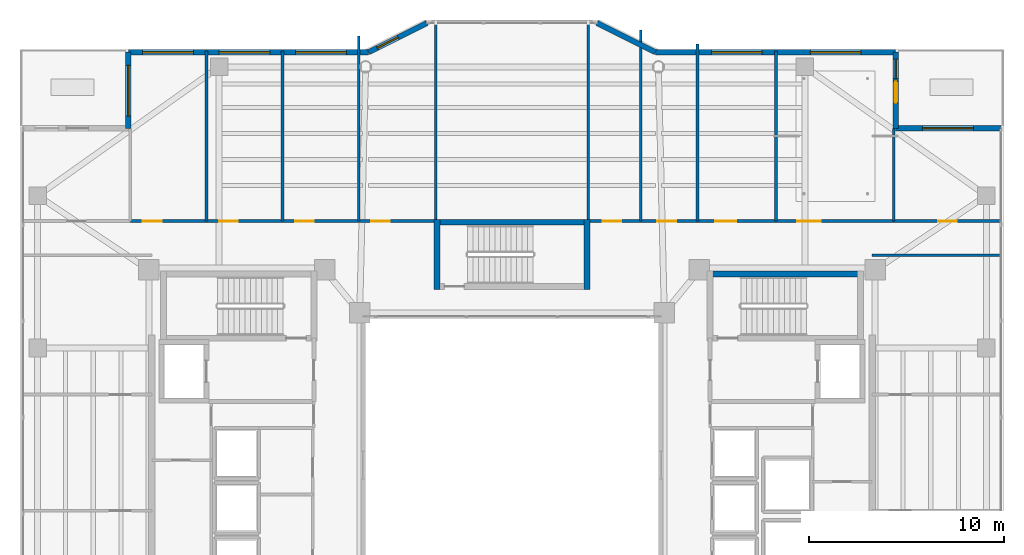
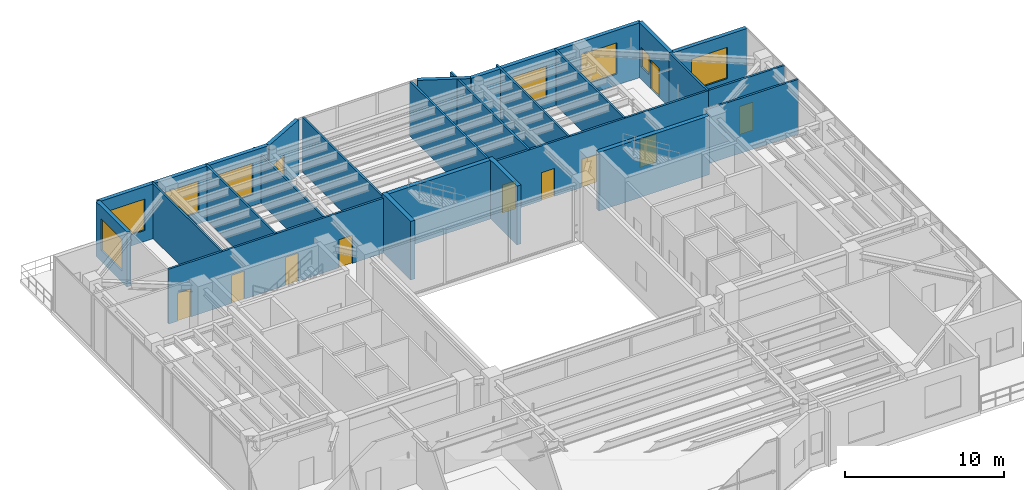
# One storey, part 26 of 33: 24 walls, 10 doors, 9 windows, 19 openings.
"""IFC4 building model written with IfcOpenShell, lengths in metres."""

from ifc_helpers import new_model, si_unit, direction, frame, frame_2d, origin, place, context, subcontext, project, spatial, rectangle, extrude, material, layer, layer_set, type_object, element, fill, save


model = new_model("IFC4")

# Units and contexts
model_context = context("Model", 3, precision=1e-05, world=origin(), true_north=direction((0.0, 1.0)))
body_context = subcontext(model_context, "Body", "Model", "MODEL_VIEW")
ifc_project = project(units=[si_unit("LENGTHUNIT", "METRE"), si_unit("AREAUNIT", "SQUARE_METRE"), si_unit("VOLUMEUNIT", "CUBIC_METRE"), si_unit("PLANEANGLEUNIT", "RADIAN"), si_unit("MASSUNIT", "GRAM", prefix="KILO")], contexts=[model_context])

# Site, building, storey
site_placement = place(None, origin())
site = spatial("IfcSite", under=ifc_project, at=site_placement, CompositionType="ELEMENT")
building_placement = place(site_placement, origin())
building = spatial("IfcBuilding", under=site, at=building_placement, Name="Tarnavaz Court Tower", CompositionType="ELEMENT")
storey_placement = place(building_placement, frame((0.0, 0.0, 172.800048828125)))
storey = spatial("IfcBuildingStorey", under=building, at=storey_placement, Name="L47", CompositionType="ELEMENT", Elevation=172.800048828125)

# Walls
ifc_material_1 = material(Name="Concrete C50/60", Category="concrete")
ifc_layer_1 = layer(ifc_material_1, 0.300048828125)
ifc_layer_set_1 = layer_set([ifc_layer_1], Name="Concrete C50/60")
wall_type_1 = type_object("IfcWallType", Name="WL-CORE-300-C50", PredefinedType="SHEAR", material=ifc_layer_set_1)
for number, where, z_axis, x_axis, name in (
    (1, (10.0, 9.7900390625, 0.0), (0.0, 0.0, 1.0), (1.0, 0.0, 0.0), "L47 East Stair Core Wall 005"),
    (2, (-4.0, 12.43994140625, 0.0), (0.0, 0.0, 1.0), (1.0, 0.0, 0.0), "L47 North Stair Core Wall 009"),
):
    element("IfcWall", number, at=place(storey_placement, frame(where, z_axis=z_axis, x_axis=x_axis)), inside=storey, type_object=wall_type_1, Name=name, PredefinedType="SHEAR", context=body_context, shape_type="SweptSolid", body=[
        extrude(rectangle(XDim=8.0, YDim=0.300048828125, at=frame_2d((4.0, 0.0))), origin(), (0.0, 0.0, 1.0), 4.5),
    ])
for number, where, z_axis, x_axis, name in (
    (3, (-3.85009765625, 9.0, 0.0), (0.0, 0.0, 1.0), (0.0, 1.0, 0.0), "L47 North Stair Core Wall 011"),
    (4, (3.85009765625, 9.0, 0.0), (0.0, 0.0, 1.0), (0.0, 1.0, 0.0), "L47 North Stair Core Wall 012"),
):
    element("IfcWall", number, at=place(storey_placement, frame(where, z_axis=z_axis, x_axis=x_axis)), inside=storey, type_object=wall_type_1, Name=name, PredefinedType="SHEAR", context=body_context, shape_type="SweptSolid", body=[
        extrude(rectangle(XDim=3.590087890625, YDim=0.300048828125, at=frame_2d((1.794921875, 0.0))), origin(), (0.0, 0.0, 1.0), 4.5),
    ])

# Wall, opening, window
ifc_material_2 = material(Name="Precast Concrete C40/50", Category="concrete")
ifc_layer_2 = layer(ifc_material_2, 0.280029296875)
ifc_layer_set_2 = layer_set([ifc_layer_2], Name="Precast Concrete C40/50")
wall_type_2 = type_object("IfcWallType", Name="WL-EXT-280", PredefinedType="SOLIDWALL", material=ifc_layer_set_2)
wall_1_placement = place(storey_placement, frame((-19.64990234375, 17.25, 0.0), z_axis=(0.0, 0.0, 1.0), x_axis=(0.0, 1.0, 0.0)))
wall_1 = element("IfcWall", 5, at=wall_1_placement, inside=storey, type_object=wall_type_2, Name="L47 Exterior Terracotta Facade Wall 04", PredefinedType="SOLIDWALL", context=body_context, shape_type="SweptSolid", body=[
    extrude(rectangle(XDim=3.89990234375, YDim=0.280029296875, at=frame_2d((1.949951171875, 0.0))), origin(), (0.0, 0.0, 1.0), 4.199951171875),
])
opening_1_placement = place(wall_1_placement, frame((0.632080078125, 0.0, 0.85009765625)))
opening_1 = element("IfcOpeningElement", 6, at=opening_1_placement, cuts=wall_1, Name="Opening W11", PredefinedType="OPENING", context=body_context, shape_type="SweptSolid", body=[
    extrude(rectangle(XDim=2.60009765625, YDim=2.39990234375, at=frame_2d((1.300048828125, 1.199951171875))), frame((0.0, 0.14990234375, 0.0), z_axis=(0.0, -1.0, 0.0), x_axis=(1.0, 0.0, 0.0)), (0.0, 0.0, 1.0), 0.300048828125),
])
ifc_material_3 = material(Name="Double-Glazed Solar Low-E Glass", Category="glass")
window_type_1 = type_object("IfcWindowType", Name="WN-COM-2600", PartitioningType="TRIPLE_PANEL_VERTICAL", PredefinedType="WINDOW", material=ifc_material_3)
window_1_placement = place(opening_1_placement, origin())
window_1 = element("IfcWindow", 7, at=window_1_placement, inside=storey, type_object=window_type_1, Name="L47 L47 Resident Advisory Office 1 Window", OverallHeight=2.39990234375, OverallWidth=2.60009765625, PartitioningType="SINGLE_PANEL", PredefinedType="WINDOW", context=body_context, shape_type="SweptSolid", body=[
    extrude(rectangle(XDim=2.60009765625, YDim=2.39990234375, at=frame_2d((1.300048828125, 1.199951171875))), frame((0.0, 0.030029296875, 0.0), z_axis=(0.0, -1.0, 0.0), x_axis=(1.0, 0.0, 0.0)), (0.0, 0.0, 1.0), 0.06005859375),
])
fill(opening_1, window_1)

# Wall, openings, windows
wall_2_placement = place(storey_placement, frame((-19.64990234375, 21.14990234375, 0.0), z_axis=(0.0, 0.0, 1.0), x_axis=(1.0, 0.0, 0.0)))
wall_2 = element("IfcWall", 8, at=wall_2_placement, inside=storey, type_object=wall_type_2, Name="L47 Exterior Terracotta Facade Wall 05", PredefinedType="SOLIDWALL", context=body_context, shape_type="SweptSolid", body=[
    extrude(rectangle(XDim=12.2998046875, YDim=0.280029296875, at=frame_2d((6.14990234375, 0.0))), origin(), (0.0, 0.0, 1.0), 4.199951171875),
])
opening_2_placement = place(wall_2_placement, frame((0.7333984375, 0.0, 0.85009765625)))
opening_2 = element("IfcOpeningElement", 9, at=opening_2_placement, cuts=wall_2, Name="Opening W11", PredefinedType="OPENING", context=body_context, shape_type="SweptSolid", body=[
    extrude(rectangle(XDim=2.60009765625, YDim=2.39990234375, at=frame_2d((1.300048828125, 1.199951171875))), frame((0.0, 0.14990234375, 0.0), z_axis=(0.0, -1.0, 0.0), x_axis=(1.0, 0.0, 0.0)), (0.0, 0.0, 1.0), 0.300048828125),
])
opening_3_placement = place(wall_2_placement, frame((4.649169921875, 0.0, 0.85009765625)))
opening_3 = element("IfcOpeningElement", 10, at=opening_3_placement, cuts=wall_2, Name="Opening W11", PredefinedType="OPENING", context=body_context, shape_type="SweptSolid", body=[
    extrude(rectangle(XDim=2.60009765625, YDim=2.39990234375, at=frame_2d((1.300048828125, 1.199951171875))), frame((0.0, 0.14990234375, 0.0), z_axis=(0.0, -1.0, 0.0), x_axis=(1.0, 0.0, 0.0)), (0.0, 0.0, 1.0), 0.300048828125),
])
opening_4_placement = place(wall_2_placement, frame((8.565185546875, 0.0, 0.85009765625)))
opening_4 = element("IfcOpeningElement", 11, at=opening_4_placement, cuts=wall_2, Name="Opening W11", PredefinedType="OPENING", context=body_context, shape_type="SweptSolid", body=[
    extrude(rectangle(XDim=2.60009765625, YDim=2.39990234375, at=frame_2d((1.300048828125, 1.199951171875))), frame((0.0, 0.14990234375, 0.0), z_axis=(0.0, -1.0, 0.0), x_axis=(1.0, 0.0, 0.0)), (0.0, 0.0, 1.0), 0.300048828125),
])
window_2_placement = place(opening_2_placement, origin())
window_2 = element("IfcWindow", 12, at=window_2_placement, inside=storey, type_object=window_type_1, Name="L47 L47 Resident Advisory Office 1 Window", OverallHeight=2.39990234375, OverallWidth=2.60009765625, PartitioningType="SINGLE_PANEL", PredefinedType="WINDOW", context=body_context, shape_type="SweptSolid", body=[
    extrude(rectangle(XDim=2.60009765625, YDim=2.39990234375, at=frame_2d((1.300048828125, 1.199951171875))), frame((0.0, 0.030029296875, 0.0), z_axis=(0.0, -1.0, 0.0), x_axis=(1.0, 0.0, 0.0)), (0.0, 0.0, 1.0), 0.06005859375),
])
fill(opening_2, window_2)
window_3_placement = place(opening_3_placement, origin())
window_3 = element("IfcWindow", 13, at=window_3_placement, inside=storey, type_object=window_type_1, Name="L47 L47 Resident Advisory Office 2 Window", OverallHeight=2.39990234375, OverallWidth=2.60009765625, PartitioningType="SINGLE_PANEL", PredefinedType="WINDOW", context=body_context, shape_type="SweptSolid", body=[
    extrude(rectangle(XDim=2.60009765625, YDim=2.39990234375, at=frame_2d((1.300048828125, 1.199951171875))), frame((0.0, 0.030029296875, 0.0), z_axis=(0.0, -1.0, 0.0), x_axis=(1.0, 0.0, 0.0)), (0.0, 0.0, 1.0), 0.06005859375),
])
fill(opening_3, window_3)
window_4_placement = place(opening_4_placement, origin())
window_4 = element("IfcWindow", 14, at=window_4_placement, inside=storey, type_object=window_type_1, Name="L47 L47 Resident Advisory Office 3 Window", OverallHeight=2.39990234375, OverallWidth=2.60009765625, PartitioningType="SINGLE_PANEL", PredefinedType="WINDOW", context=body_context, shape_type="SweptSolid", body=[
    extrude(rectangle(XDim=2.60009765625, YDim=2.39990234375, at=frame_2d((1.300048828125, 1.199951171875))), frame((0.0, 0.030029296875, 0.0), z_axis=(0.0, -1.0, 0.0), x_axis=(1.0, 0.0, 0.0)), (0.0, 0.0, 1.0), 0.06005859375),
])
fill(opening_4, window_4)

# Wall, opening, window
wall_3_placement = place(storey_placement, frame((-7.35009765625, 21.14990234375, 0.0), z_axis=(0.0, 0.0, 1.0), x_axis=(0.894427191, 0.4472135955, 0.0)))
wall_3 = element("IfcWall", 15, at=wall_3_placement, inside=storey, type_object=wall_type_2, Name="L47 Exterior Terracotta Facade Wall 06", PredefinedType="SOLIDWALL", context=body_context, shape_type="SweptSolid", body=[
    extrude(rectangle(XDim=3.35400390625, YDim=0.280029296875, at=frame_2d((1.677001953125, 0.0))), origin(), (0.0, 0.0, 1.0), 4.199951171875),
])
opening_5_placement = place(wall_3_placement, frame((0.501220703125, 0.0, 0.949951171875)))
opening_5 = element("IfcOpeningElement", 16, at=opening_5_placement, cuts=wall_3, Name="Opening W05", PredefinedType="OPENING", context=body_context, shape_type="SweptSolid", body=[
    extrude(rectangle(XDim=1.199951171875, YDim=1.5, at=frame_2d((0.60009765625, 0.75))), frame((0.0, 0.14990234375, 0.0), z_axis=(0.0, -1.0, 0.0), x_axis=(1.0, 0.0, 0.0)), (0.0, 0.0, 1.0), 0.300048828125),
])
window_type_2 = type_object("IfcWindowType", Name="WN-APT-1200", PartitioningType="SINGLE_PANEL", PredefinedType="WINDOW", material=ifc_material_3)
window_5_placement = place(opening_5_placement, origin())
window_5 = element("IfcWindow", 17, at=window_5_placement, inside=storey, type_object=window_type_2, Name="L47 L47 Resident Advisory Office 4 Window", OverallHeight=1.5, OverallWidth=1.199951171875, PartitioningType="SINGLE_PANEL", PredefinedType="WINDOW", context=body_context, shape_type="SweptSolid", body=[
    extrude(rectangle(XDim=1.199951171875, YDim=1.5, at=frame_2d((0.60009765625, 0.75))), frame((0.0, 0.030029296875, 0.0), z_axis=(0.0, -1.0, 0.0), x_axis=(1.0, 0.0, 0.0)), (0.0, 0.0, 1.0), 0.06005859375),
])
fill(opening_5, window_5)

# Wall
wall_4_placement = place(storey_placement, frame((4.35009765625, 22.64990234375, 0.0), z_axis=(0.0, 0.0, 1.0), x_axis=(0.894427191, -0.4472135955, 0.0)))
element("IfcWall", 18, at=wall_4_placement, inside=storey, type_object=wall_type_2, Name="L47 Exterior Terracotta Facade Wall 08", PredefinedType="SOLIDWALL", context=body_context, shape_type="SweptSolid", body=[
    extrude(rectangle(XDim=3.35400390625, YDim=0.280029296875, at=frame_2d((1.677001953125, 0.0))), origin(), (0.0, 0.0, 1.0), 4.199951171875),
])

# Wall, openings, windows
wall_5_placement = place(storey_placement, frame((7.35009765625, 21.14990234375, 0.0), z_axis=(0.0, 0.0, 1.0), x_axis=(1.0, 0.0, 0.0)))
wall_5 = element("IfcWall", 19, at=wall_5_placement, inside=storey, type_object=wall_type_2, Name="L47 Exterior Terracotta Facade Wall 09", PredefinedType="SOLIDWALL", context=body_context, shape_type="SweptSolid", body=[
    extrude(rectangle(XDim=12.2998046875, YDim=0.280029296875, at=frame_2d((6.14990234375, 0.0))), origin(), (0.0, 0.0, 1.0), 4.199951171875),
])
opening_6_placement = place(wall_5_placement, frame((2.866943359375, 0.0, 0.85009765625)))
opening_6 = element("IfcOpeningElement", 20, at=opening_6_placement, cuts=wall_5, Name="Opening W11", PredefinedType="OPENING", context=body_context, shape_type="SweptSolid", body=[
    extrude(rectangle(XDim=2.60009765625, YDim=2.39990234375, at=frame_2d((1.300048828125, 1.199951171875))), frame((0.0, 0.14990234375, 0.0), z_axis=(0.0, -1.0, 0.0), x_axis=(1.0, 0.0, 0.0)), (0.0, 0.0, 1.0), 0.300048828125),
])
opening_7_placement = place(wall_5_placement, frame((7.9375, 0.0, 0.85009765625)))
opening_7 = element("IfcOpeningElement", 21, at=opening_7_placement, cuts=wall_5, Name="Opening W11", PredefinedType="OPENING", context=body_context, shape_type="SweptSolid", body=[
    extrude(rectangle(XDim=2.60009765625, YDim=2.39990234375, at=frame_2d((1.300048828125, 1.199951171875))), frame((0.0, 0.14990234375, 0.0), z_axis=(0.0, -1.0, 0.0), x_axis=(1.0, 0.0, 0.0)), (0.0, 0.0, 1.0), 0.300048828125),
])
window_6_placement = place(opening_6_placement, origin())
window_6 = element("IfcWindow", 22, at=window_6_placement, inside=storey, type_object=window_type_1, Name="L47 Community Seminar Meeting Room Window", OverallHeight=2.39990234375, OverallWidth=2.60009765625, PartitioningType="SINGLE_PANEL", PredefinedType="WINDOW", context=body_context, shape_type="SweptSolid", body=[
    extrude(rectangle(XDim=2.60009765625, YDim=2.39990234375, at=frame_2d((1.300048828125, 1.199951171875))), frame((0.0, 0.030029296875, 0.0), z_axis=(0.0, -1.0, 0.0), x_axis=(1.0, 0.0, 0.0)), (0.0, 0.0, 1.0), 0.06005859375),
])
fill(opening_6, window_6)
window_7_placement = place(opening_7_placement, origin())
window_7 = element("IfcWindow", 23, at=window_7_placement, inside=storey, type_object=window_type_1, Name="L47 L47 Fitness Studio Window", OverallHeight=2.39990234375, OverallWidth=2.60009765625, PartitioningType="SINGLE_PANEL", PredefinedType="WINDOW", context=body_context, shape_type="SweptSolid", body=[
    extrude(rectangle(XDim=2.60009765625, YDim=2.39990234375, at=frame_2d((1.300048828125, 1.199951171875))), frame((0.0, 0.030029296875, 0.0), z_axis=(0.0, -1.0, 0.0), x_axis=(1.0, 0.0, 0.0)), (0.0, 0.0, 1.0), 0.06005859375),
])
fill(opening_7, window_7)

# Wall, openings, door, window
wall_6_placement = place(storey_placement, frame((19.64990234375, 21.14990234375, 0.0), z_axis=(0.0, 0.0, 1.0), x_axis=(0.0, -1.0, 0.0)))
wall_6 = element("IfcWall", 24, at=wall_6_placement, inside=storey, type_object=wall_type_2, Name="L47 Exterior Terracotta Facade Wall 10", PredefinedType="SOLIDWALL", context=body_context, shape_type="SweptSolid", body=[
    extrude(rectangle(XDim=3.89990234375, YDim=0.280029296875, at=frame_2d((1.949951171875, 0.0))), origin(), (0.0, 0.0, 1.0), 4.199951171875),
])
opening_8_placement = place(wall_6_placement, frame((1.5, 0.0, 0.0)))
opening_8 = element("IfcOpeningElement", 25, at=opening_8_placement, cuts=wall_6, Name="Opening TD1", PredefinedType="OPENING", context=body_context, shape_type="SweptSolid", body=[
    extrude(rectangle(XDim=1.10009765625, YDim=2.199951171875, at=frame_2d((0.550048828125, 1.10009765625))), frame((0.0, 0.14990234375, 0.0), z_axis=(0.0, -1.0, 0.0), x_axis=(1.0, 0.0, 0.0)), (0.0, 0.0, 1.0), 0.300048828125),
])
opening_9_placement = place(wall_6_placement, frame((0.355224609375, 0.0, 0.949951171875)))
opening_9 = element("IfcOpeningElement", 26, at=opening_9_placement, cuts=wall_6, Name="Opening W14", PredefinedType="OPENING", context=body_context, shape_type="SweptSolid", body=[
    extrude(rectangle(XDim=1.0, YDim=1.5, at=frame_2d((0.5, 0.75))), frame((0.0, 0.14990234375, 0.0), z_axis=(0.0, -1.0, 0.0), x_axis=(1.0, 0.0, 0.0)), (0.0, 0.0, 1.0), 0.300048828125),
])
ifc_material_4 = material(Name="Thermally Broken Aluminium and Laminated Glass", Category="aluminium")
door_type_1 = type_object("IfcDoorType", Name="DR-TERR-1100", OperationType="NOTDEFINED", PredefinedType="DOOR", material=ifc_material_4)
door_1_placement = place(opening_8_placement, origin())
door_1 = element("IfcDoor", 27, at=door_1_placement, inside=storey, type_object=door_type_1, Name="L47 Sky Terrace Access Door 1", OperationType="SINGLE_SWING_LEFT", OverallHeight=2.199951171875, OverallWidth=1.10009765625, PredefinedType="DOOR", context=body_context, shape_type="SweptSolid", body=[
    extrude(rectangle(XDim=1.10009765625, YDim=2.199951171875, at=frame_2d((0.550048828125, 1.10009765625))), frame((0.0, 0.02490234375, 0.0), z_axis=(0.0, -1.0, 0.0), x_axis=(1.0, 0.0, 0.0)), (0.0, 0.0, 1.0), 0.050048828125),
])
fill(opening_8, door_1)
window_type_3 = type_object("IfcWindowType", Name="WN-APT-1000", PartitioningType="SINGLE_PANEL", PredefinedType="WINDOW", material=ifc_material_3)
window_8_placement = place(opening_9_placement, origin())
window_8 = element("IfcWindow", 28, at=window_8_placement, inside=storey, type_object=window_type_3, Name="L47 L47 Fitness Studio Window", OverallHeight=1.5, OverallWidth=1.0, PartitioningType="SINGLE_PANEL", PredefinedType="WINDOW", context=body_context, shape_type="SweptSolid", body=[
    extrude(rectangle(XDim=1.0, YDim=1.5, at=frame_2d((0.5, 0.75))), frame((0.0, 0.030029296875, 0.0), z_axis=(0.0, -1.0, 0.0), x_axis=(1.0, 0.0, 0.0)), (0.0, 0.0, 1.0), 0.06005859375),
])
fill(opening_9, window_8)

# Wall, opening, window
wall_7_placement = place(storey_placement, frame((19.64990234375, 17.25, 0.0), z_axis=(0.0, 0.0, 1.0), x_axis=(1.0, 0.0, 0.0)))
wall_7 = element("IfcWall", 29, at=wall_7_placement, inside=storey, type_object=wall_type_2, Name="L47 Exterior Terracotta Facade Wall 11", PredefinedType="SOLIDWALL", context=body_context, shape_type="SweptSolid", body=[
    extrude(rectangle(XDim=5.400146484375, YDim=0.280029296875, at=frame_2d((2.7001953125, 0.0))), origin(), (0.0, 0.0, 1.0), 4.199951171875),
])
opening_10_placement = place(wall_7_placement, frame((1.375, 0.0, 0.85009765625)))
opening_10 = element("IfcOpeningElement", 30, at=opening_10_placement, cuts=wall_7, Name="Opening W11", PredefinedType="OPENING", context=body_context, shape_type="SweptSolid", body=[
    extrude(rectangle(XDim=2.60009765625, YDim=2.39990234375, at=frame_2d((1.300048828125, 1.199951171875))), frame((0.0, 0.14990234375, 0.0), z_axis=(0.0, -1.0, 0.0), x_axis=(1.0, 0.0, 0.0)), (0.0, 0.0, 1.0), 0.300048828125),
])
window_9_placement = place(opening_10_placement, origin())
window_9 = element("IfcWindow", 31, at=window_9_placement, inside=storey, type_object=window_type_1, Name="L47 L47 NE Terrace Salon Window", OverallHeight=2.39990234375, OverallWidth=2.60009765625, PartitioningType="SINGLE_PANEL", PredefinedType="WINDOW", context=body_context, shape_type="SweptSolid", body=[
    extrude(rectangle(XDim=2.60009765625, YDim=2.39990234375, at=frame_2d((1.300048828125, 1.199951171875))), frame((0.0, 0.030029296875, 0.0), z_axis=(0.0, -1.0, 0.0), x_axis=(1.0, 0.0, 0.0)), (0.0, 0.0, 1.0), 0.06005859375),
])
fill(opening_10, window_9)

# Wall, openings, doors
ifc_material_5 = material(Name="Gypsum Fire-Board on Acoustic Metal Stud", Category="masonry")
ifc_layer_3 = layer(ifc_material_5, 0.14990234375)
ifc_layer_set_3 = layer_set([ifc_layer_3], Name="Gypsum Fire-Board on Acoustic Metal Stud")
wall_type_3 = type_object("IfcWallType", Name="WL-FIRE-150", PredefinedType="PARTITIONING", material=ifc_layer_set_3)
wall_8_placement = place(storey_placement, frame((-19.550048828125, 12.5, 0.0), z_axis=(0.0, 0.0, 1.0), x_axis=(1.0, 0.0, 0.0)))
wall_8 = element("IfcWall", 32, at=wall_8_placement, inside=storey, type_object=wall_type_3, Name="L47 NW Wing Corridor Wall 071", PredefinedType="PARTITIONING", context=body_context, shape_type="SweptSolid", body=[
    extrude(rectangle(XDim=15.699951171875, YDim=0.14990234375, at=frame_2d((7.85009765625, 0.0))), origin(), (0.0, 0.0, 1.0), 4.199951171875),
])
opening_11_placement = place(wall_8_placement, frame((0.64990234375, 0.0, 0.0)))
opening_11 = element("IfcOpeningElement", 33, at=opening_11_placement, cuts=wall_8, Name="Opening D13", PredefinedType="OPENING", context=body_context, shape_type="SweptSolid", body=[
    extrude(rectangle(XDim=0.949951171875, YDim=2.14990234375, at=frame_2d((0.47509765625, 1.074951171875))), frame((0.0, 0.0849609375, 0.0), z_axis=(0.0, -1.0, 0.0), x_axis=(1.0, 0.0, 0.0)), (0.0, 0.0, 1.0), 0.169921875),
])
opening_12_placement = place(wall_8_placement, frame((4.550048828125, 0.0, 0.0)))
opening_12 = element("IfcOpeningElement", 34, at=opening_12_placement, cuts=wall_8, Name="Opening D13", PredefinedType="OPENING", context=body_context, shape_type="SweptSolid", body=[
    extrude(rectangle(XDim=0.949951171875, YDim=2.14990234375, at=frame_2d((0.47509765625, 1.074951171875))), frame((0.0, 0.0849609375, 0.0), z_axis=(0.0, -1.0, 0.0), x_axis=(1.0, 0.0, 0.0)), (0.0, 0.0, 1.0), 0.169921875),
])
opening_13_placement = place(wall_8_placement, frame((8.449951171875, 0.0, 0.0)))
opening_13 = element("IfcOpeningElement", 35, at=opening_13_placement, cuts=wall_8, Name="Opening D13", PredefinedType="OPENING", context=body_context, shape_type="SweptSolid", body=[
    extrude(rectangle(XDim=0.949951171875, YDim=2.14990234375, at=frame_2d((0.47509765625, 1.074951171875))), frame((0.0, 0.0849609375, 0.0), z_axis=(0.0, -1.0, 0.0), x_axis=(1.0, 0.0, 0.0)), (0.0, 0.0, 1.0), 0.169921875),
])
opening_14_placement = place(wall_8_placement, frame((12.35009765625, 0.0, 0.0)))
opening_14 = element("IfcOpeningElement", 36, at=opening_14_placement, cuts=wall_8, Name="Opening D13", PredefinedType="OPENING", context=body_context, shape_type="SweptSolid", body=[
    extrude(rectangle(XDim=0.949951171875, YDim=2.14990234375, at=frame_2d((0.47509765625, 1.074951171875))), frame((0.0, 0.0849609375, 0.0), z_axis=(0.0, -1.0, 0.0), x_axis=(1.0, 0.0, 0.0)), (0.0, 0.0, 1.0), 0.169921875),
])
ifc_material_6 = material(Name="Engineered Oak Timber", Category="wood")
door_type_2 = type_object("IfcDoorType", Name="DR-INT-950", OperationType="NOTDEFINED", PredefinedType="DOOR", material=ifc_material_6)
door_2_placement = place(opening_11_placement, origin())
door_2 = element("IfcDoor", 37, at=door_2_placement, inside=storey, type_object=door_type_2, Name="L47 Advisory Office 1 Door", OperationType="SINGLE_SWING_LEFT", OverallHeight=2.14990234375, OverallWidth=0.949951171875, PredefinedType="DOOR", context=body_context, shape_type="SweptSolid", body=[
    extrude(rectangle(XDim=0.949951171875, YDim=2.14990234375, at=frame_2d((0.47509765625, 1.074951171875))), frame((0.0, 0.02490234375, 0.0), z_axis=(0.0, -1.0, 0.0), x_axis=(1.0, 0.0, 0.0)), (0.0, 0.0, 1.0), 0.050048828125),
])
fill(opening_11, door_2)
door_3_placement = place(opening_12_placement, origin())
door_3 = element("IfcDoor", 38, at=door_3_placement, inside=storey, type_object=door_type_2, Name="L47 Advisory Office 2 Door", OperationType="SINGLE_SWING_RIGHT", OverallHeight=2.14990234375, OverallWidth=0.949951171875, PredefinedType="DOOR", context=body_context, shape_type="SweptSolid", body=[
    extrude(rectangle(XDim=0.949951171875, YDim=2.14990234375, at=frame_2d((0.47509765625, 1.074951171875))), frame((0.0, 0.02490234375, 0.0), z_axis=(0.0, -1.0, 0.0), x_axis=(1.0, 0.0, 0.0)), (0.0, 0.0, 1.0), 0.050048828125),
])
fill(opening_12, door_3)
door_4_placement = place(opening_13_placement, origin())
door_4 = element("IfcDoor", 39, at=door_4_placement, inside=storey, type_object=door_type_2, Name="L47 Advisory Office 3 Door", OperationType="SINGLE_SWING_LEFT", OverallHeight=2.14990234375, OverallWidth=0.949951171875, PredefinedType="DOOR", context=body_context, shape_type="SweptSolid", body=[
    extrude(rectangle(XDim=0.949951171875, YDim=2.14990234375, at=frame_2d((0.47509765625, 1.074951171875))), frame((0.0, 0.02490234375, 0.0), z_axis=(0.0, -1.0, 0.0), x_axis=(1.0, 0.0, 0.0)), (0.0, 0.0, 1.0), 0.050048828125),
])
fill(opening_13, door_4)
door_5_placement = place(opening_14_placement, origin())
door_5 = element("IfcDoor", 40, at=door_5_placement, inside=storey, type_object=door_type_2, Name="L47 Advisory Office 4 Door", OperationType="SINGLE_SWING_RIGHT", OverallHeight=2.14990234375, OverallWidth=0.949951171875, PredefinedType="DOOR", context=body_context, shape_type="SweptSolid", body=[
    extrude(rectangle(XDim=0.949951171875, YDim=2.14990234375, at=frame_2d((0.47509765625, 1.074951171875))), frame((0.0, 0.02490234375, 0.0), z_axis=(0.0, -1.0, 0.0), x_axis=(1.0, 0.0, 0.0)), (0.0, 0.0, 1.0), 0.050048828125),
])
fill(opening_14, door_5)

wall_9_placement = place(storey_placement, frame((3.85009765625, 12.5, 0.0), z_axis=(0.0, 0.0, 1.0), x_axis=(1.0, 0.0, 0.0)))
wall_9 = element("IfcWall", 41, at=wall_9_placement, inside=storey, type_object=wall_type_3, Name="L47 NE Wing Corridor Wall 072", PredefinedType="PARTITIONING", context=body_context, shape_type="SweptSolid", body=[
    extrude(rectangle(XDim=15.699951171875, YDim=0.14990234375, at=frame_2d((7.85009765625, 0.0))), origin(), (0.0, 0.0, 1.0), 4.199951171875),
])
opening_15_placement = place(wall_9_placement, frame((0.800048828125, 0.0, 0.0)))
opening_15 = element("IfcOpeningElement", 42, at=opening_15_placement, cuts=wall_9, Name="Opening D13", PredefinedType="OPENING", context=body_context, shape_type="SweptSolid", body=[
    extrude(rectangle(XDim=0.949951171875, YDim=2.14990234375, at=frame_2d((0.47509765625, 1.074951171875))), frame((0.0, 0.0849609375, 0.0), z_axis=(0.0, -1.0, 0.0), x_axis=(1.0, 0.0, 0.0)), (0.0, 0.0, 1.0), 0.169921875),
])
opening_16_placement = place(wall_9_placement, frame((3.60009765625, 0.0, 0.0)))
opening_16 = element("IfcOpeningElement", 43, at=opening_16_placement, cuts=wall_9, Name="Opening D13", PredefinedType="OPENING", context=body_context, shape_type="SweptSolid", body=[
    extrude(rectangle(XDim=0.949951171875, YDim=2.14990234375, at=frame_2d((0.47509765625, 1.074951171875))), frame((0.0, 0.0849609375, 0.0), z_axis=(0.0, -1.0, 0.0), x_axis=(1.0, 0.0, 0.0)), (0.0, 0.0, 1.0), 0.169921875),
])
opening_17_placement = place(wall_9_placement, frame((6.550048828125, 0.0, 0.0)))
opening_17 = element("IfcOpeningElement", 44, at=opening_17_placement, cuts=wall_9, Name="Opening D12", PredefinedType="OPENING", context=body_context, shape_type="SweptSolid", body=[
    extrude(rectangle(XDim=1.080078125, YDim=2.14990234375, at=frame_2d((0.5400390625, 1.074951171875))), frame((0.0, 0.0849609375, 0.0), z_axis=(0.0, -1.0, 0.0), x_axis=(1.0, 0.0, 0.0)), (0.0, 0.0, 1.0), 0.169921875),
])
opening_18_placement = place(wall_9_placement, frame((10.77001953125, 0.0, 0.0)))
opening_18 = element("IfcOpeningElement", 45, at=opening_18_placement, cuts=wall_9, Name="Opening D11", PredefinedType="OPENING", context=body_context, shape_type="SweptSolid", body=[
    extrude(rectangle(XDim=1.199951171875, YDim=2.14990234375, at=frame_2d((0.60009765625, 1.074951171875))), frame((0.0, 0.0849609375, 0.0), z_axis=(0.0, -1.0, 0.0), x_axis=(1.0, 0.0, 0.0)), (0.0, 0.0, 1.0), 0.169921875),
])
door_type_3 = type_object("IfcDoorType", Name="DR-INT-1100", OperationType="NOTDEFINED", PredefinedType="DOOR", material=ifc_material_6)
door_6_placement = place(opening_17_placement, origin())
door_6 = element("IfcDoor", 46, at=door_6_placement, inside=storey, type_object=door_type_3, Name="L47 Community Meeting Room Door", OperationType="SINGLE_SWING_LEFT", OverallHeight=2.14990234375, OverallWidth=1.080078125, PredefinedType="DOOR", context=body_context, shape_type="SweptSolid", body=[
    extrude(rectangle(XDim=1.080078125, YDim=2.14990234375, at=frame_2d((0.5400390625, 1.074951171875))), frame((0.0, 0.02490234375, 0.0), z_axis=(0.0, -1.0, 0.0), x_axis=(1.0, 0.0, 0.0)), (0.0, 0.0, 1.0), 0.050048828125),
])
fill(opening_17, door_6)
door_type_4 = type_object("IfcDoorType", Name="DR-INT-1200", OperationType="NOTDEFINED", PredefinedType="DOOR", material=ifc_material_6)
door_7_placement = place(opening_18_placement, origin())
door_7 = element("IfcDoor", 47, at=door_7_placement, inside=storey, type_object=door_type_4, Name="L47 L47 Fitness Studio Door", OperationType="SINGLE_SWING_RIGHT", OverallHeight=2.14990234375, OverallWidth=1.199951171875, PredefinedType="DOOR", context=body_context, shape_type="SweptSolid", body=[
    extrude(rectangle(XDim=1.199951171875, YDim=2.14990234375, at=frame_2d((0.60009765625, 1.074951171875))), frame((0.0, 0.02490234375, 0.0), z_axis=(0.0, -1.0, 0.0), x_axis=(1.0, 0.0, 0.0)), (0.0, 0.0, 1.0), 0.050048828125),
])
fill(opening_18, door_7)
door_8_placement = place(opening_15_placement, origin())
door_8 = element("IfcDoor", 48, at=door_8_placement, inside=storey, type_object=door_type_2, Name="L47 Accessible WC Door", OperationType="SINGLE_SWING_LEFT", OverallHeight=2.14990234375, OverallWidth=0.949951171875, PredefinedType="DOOR", context=body_context, shape_type="SweptSolid", body=[
    extrude(rectangle(XDim=0.949951171875, YDim=2.14990234375, at=frame_2d((0.47509765625, 1.074951171875))), frame((0.0, 0.02490234375, 0.0), z_axis=(0.0, -1.0, 0.0), x_axis=(1.0, 0.0, 0.0)), (0.0, 0.0, 1.0), 0.050048828125),
])
fill(opening_15, door_8)
door_9_placement = place(opening_16_placement, origin())
door_9 = element("IfcDoor", 49, at=door_9_placement, inside=storey, type_object=door_type_2, Name="L47 Public Toilets Door", OperationType="SINGLE_SWING_RIGHT", OverallHeight=2.14990234375, OverallWidth=0.949951171875, PredefinedType="DOOR", context=body_context, shape_type="SweptSolid", body=[
    extrude(rectangle(XDim=0.949951171875, YDim=2.14990234375, at=frame_2d((0.47509765625, 1.074951171875))), frame((0.0, 0.02490234375, 0.0), z_axis=(0.0, -1.0, 0.0), x_axis=(1.0, 0.0, 0.0)), (0.0, 0.0, 1.0), 0.050048828125),
])
fill(opening_16, door_9)

# Wall
wall_10_placement = place(storey_placement, frame((18.449951171875, 10.75, 0.0), z_axis=(0.0, 0.0, 1.0), x_axis=(1.0, 0.0, 0.0)))
element("IfcWall", 50, at=wall_10_placement, inside=storey, type_object=wall_type_3, Name="L47 Interior Partition 091", PredefinedType="PARTITIONING", context=body_context, shape_type="SweptSolid", body=[
    extrude(rectangle(XDim=6.630126953125, YDim=0.14990234375, at=frame_2d((3.31494140625, 0.0))), origin(), (0.0, 0.0, 1.0), 4.199951171875),
])

# Wall, opening, door
wall_11_placement = place(storey_placement, frame((19.550048828125, 12.5, 0.0), z_axis=(0.0, 0.0, 1.0), x_axis=(1.0, 0.0, 0.0)))
wall_11 = element("IfcWall", 51, at=wall_11_placement, inside=storey, type_object=wall_type_3, Name="L47 Interior Partition 097", PredefinedType="PARTITIONING", context=body_context, shape_type="SweptSolid", body=[
    extrude(rectangle(XDim=5.530029296875, YDim=0.14990234375, at=frame_2d((2.76513671875, 0.0))), origin(), (0.0, 0.0, 1.0), 4.199951171875),
])
opening_19_placement = place(wall_11_placement, frame((2.2900390625, 0.0, 0.0)))
opening_19 = element("IfcOpeningElement", 52, at=opening_19_placement, cuts=wall_11, Name="Opening D13", PredefinedType="OPENING", context=body_context, shape_type="SweptSolid", body=[
    extrude(rectangle(XDim=0.949951171875, YDim=2.14990234375, at=frame_2d((0.47509765625, 1.074951171875))), frame((0.0, 0.0849609375, 0.0), z_axis=(0.0, -1.0, 0.0), x_axis=(1.0, 0.0, 0.0)), (0.0, 0.0, 1.0), 0.169921875),
])
door_10_placement = place(opening_19_placement, origin())
door_10 = element("IfcDoor", 53, at=door_10_placement, inside=storey, type_object=door_type_2, Name="L47 NE Terrace Salon Door", OperationType="SINGLE_SWING_LEFT", OverallHeight=2.14990234375, OverallWidth=0.949951171875, PredefinedType="DOOR", context=body_context, shape_type="SweptSolid", body=[
    extrude(rectangle(XDim=0.949951171875, YDim=2.14990234375, at=frame_2d((0.47509765625, 1.074951171875))), frame((0.0, 0.02490234375, 0.0), z_axis=(0.0, -1.0, 0.0), x_axis=(1.0, 0.0, 0.0)), (0.0, 0.0, 1.0), 0.050048828125),
])
fill(opening_19, door_10)

# Walls
ifc_material_7 = material(Name="Gypsum Plasterboard Acoustic Partition", Category="masonry")
ifc_layer_4 = layer(ifc_material_7, 0.139892578125)
ifc_layer_set_4 = layer_set([ifc_layer_4], Name="Gypsum Plasterboard Acoustic Partition")
wall_type_4 = type_object("IfcWallType", Name="WL-PART-150", PredefinedType="PARTITIONING", material=ifc_layer_set_4)
for number, where, z_axis, x_axis, name in (
    (54, (-3.89990234375, 12.5, 0.0), (0.0, 0.0, 1.0), (0.0, 1.0, 0.0), "L47 Interior Partition 075"),
    (55, (3.89990234375, 12.5, 0.0), (0.0, 0.0, 1.0), (0.0, 1.0, 0.0), "L47 Interior Partition 076"),
):
    element("IfcWall", number, at=place(storey_placement, frame(where, z_axis=z_axis, x_axis=x_axis)), inside=storey, type_object=wall_type_4, Name=name, PredefinedType="PARTITIONING", context=body_context, shape_type="SweptSolid", body=[
        extrude(rectangle(XDim=10.179931640625, YDim=0.139892578125, at=frame_2d((5.08984375, 0.0))), origin(), (0.0, 0.0, 1.0), 4.199951171875),
    ])
for number, where, z_axis, x_axis, name in (
    (56, (-15.64990234375, 12.5, 0.0), (0.0, 0.0, 1.0), (0.0, 1.0, 0.0), "L47 Interior Partition 077"),
    (57, (-11.75, 12.5, 0.0), (0.0, 0.0, 1.0), (0.0, 1.0, 0.0), "L47 Interior Partition 078"),
):
    element("IfcWall", number, at=place(storey_placement, frame(where, z_axis=z_axis, x_axis=x_axis)), inside=storey, type_object=wall_type_4, Name=name, PredefinedType="PARTITIONING", context=body_context, shape_type="SweptSolid", body=[
        extrude(rectangle(XDim=8.699951171875, YDim=0.139892578125, at=frame_2d((4.35009765625, 0.0))), origin(), (0.0, 0.0, 1.0), 4.199951171875),
    ])
wall_12_placement = place(storey_placement, frame((-7.85009765625, 12.5, 0.0), z_axis=(0.0, 0.0, 1.0), x_axis=(0.0, 1.0, 0.0)))
element("IfcWall", 58, at=wall_12_placement, inside=storey, type_object=wall_type_4, Name="L47 Interior Partition 079", PredefinedType="PARTITIONING", context=body_context, shape_type="SweptSolid", body=[
    extrude(rectangle(XDim=9.47705078125, YDim=0.139892578125, at=frame_2d((4.738525390625, 0.0))), origin(), (0.0, 0.0, 1.0), 3.68505859375),
])
wall_13_placement = place(storey_placement, frame((6.60009765625, 12.5, 0.0), z_axis=(0.0, 0.0, 1.0), x_axis=(0.0, 1.0, 0.0)))
element("IfcWall", 59, at=wall_13_placement, inside=storey, type_object=wall_type_4, Name="L47 Interior Partition 080", PredefinedType="PARTITIONING", context=body_context, shape_type="SweptSolid", body=[
    extrude(rectangle(XDim=9.784912109375, YDim=0.139892578125, at=frame_2d((4.892578125, 0.0))), origin(), (0.0, 0.0, 1.0), 4.199951171875),
])
wall_14_placement = place(storey_placement, frame((9.5, 12.5, 0.0), z_axis=(0.0, 0.0, 1.0), x_axis=(0.0, 1.0, 0.0)))
element("IfcWall", 60, at=wall_14_placement, inside=storey, type_object=wall_type_4, Name="L47 Interior Partition 081", PredefinedType="PARTITIONING", context=body_context, shape_type="SweptSolid", body=[
    extrude(rectangle(XDim=9.070068359375, YDim=0.139892578125, at=frame_2d((4.53515625, 0.0))), origin(), (0.0, 0.0, 1.0), 4.199951171875),
])
wall_15_placement = place(storey_placement, frame((13.52001953125, 12.5, 0.0), z_axis=(0.0, 0.0, 1.0), x_axis=(0.0, 1.0, 0.0)))
element("IfcWall", 61, at=wall_15_placement, inside=storey, type_object=wall_type_4, Name="L47 Interior Partition 082", PredefinedType="PARTITIONING", context=body_context, shape_type="SweptSolid", body=[
    extrude(rectangle(XDim=8.699951171875, YDim=0.139892578125, at=frame_2d((4.35009765625, 0.0))), origin(), (0.0, 0.0, 1.0), 4.199951171875),
])
wall_16_placement = place(storey_placement, frame((19.550048828125, 12.5, 0.0), z_axis=(0.0, 0.0, 1.0), x_axis=(0.0, 1.0, 0.0)))
element("IfcWall", 62, at=wall_16_placement, inside=storey, type_object=wall_type_4, Name="L47 Interior Partition 095", PredefinedType="PARTITIONING", context=body_context, shape_type="SweptSolid", body=[
    extrude(rectangle(XDim=4.75, YDim=0.139892578125, at=frame_2d((2.375, 0.0))), origin(), (0.0, 0.0, 1.0), 4.199951171875),
])

save(model, "model.ifc")
